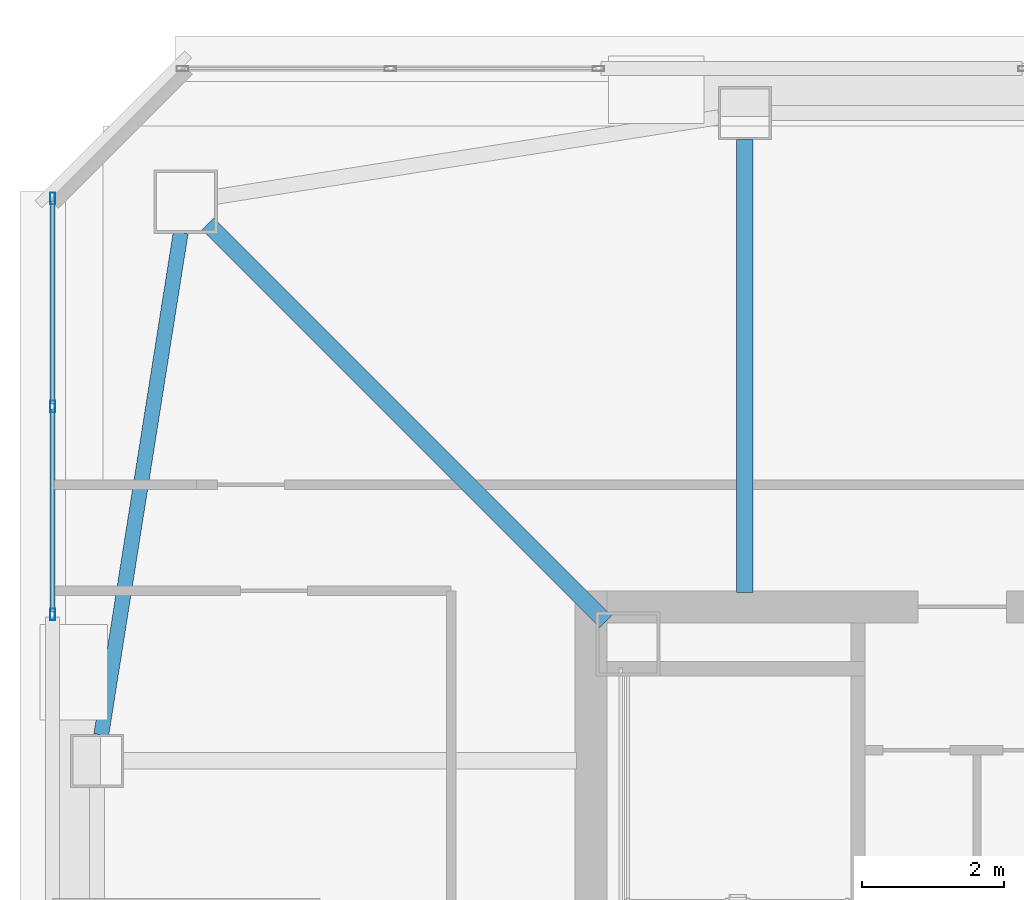
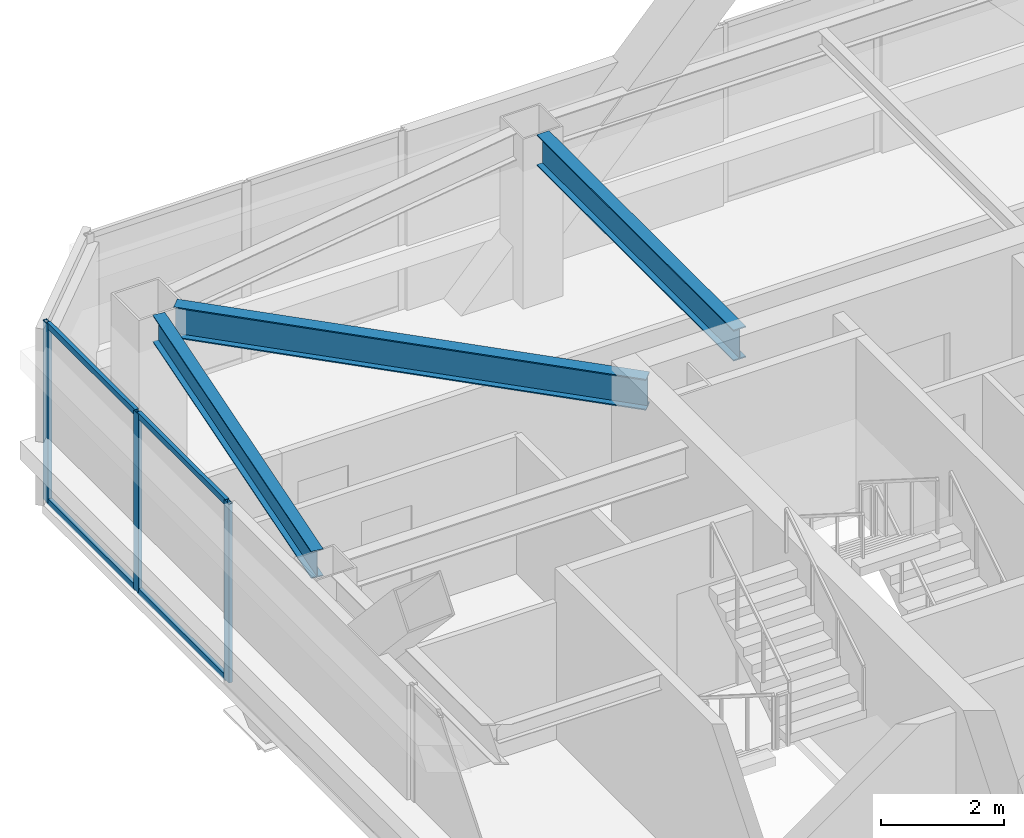
# One storey, part 11 of 24: 7 members, 3 beams, 1 element without a shape of its own.
"""IFC4 building model written with IfcOpenShell, lengths in metres."""

from ifc_helpers import new_model, si_unit, direction, frame, origin, origin_2d, place, context, subcontext, project, spatial, hollow_rectangle, i_section, extrude, material, material_profile, profile_set, type_object, element, aggregate, save


model = new_model("IFC4")

# Units and contexts
model_context = context("Model", 3, precision=1e-05, world=origin(), true_north=direction((0.0, 1.0)))
body_context = subcontext(model_context, "Body", "Model", "MODEL_VIEW")
ifc_project = project(units=[si_unit("LENGTHUNIT", "METRE"), si_unit("AREAUNIT", "SQUARE_METRE"), si_unit("VOLUMEUNIT", "CUBIC_METRE"), si_unit("PLANEANGLEUNIT", "RADIAN"), si_unit("MASSUNIT", "GRAM", prefix="KILO")], contexts=[model_context])

# Site, building, storey
site_placement = place(None, origin())
site = spatial("IfcSite", under=ifc_project, at=site_placement, CompositionType="ELEMENT")
building_placement = place(site_placement, origin())
building = spatial("IfcBuilding", under=site, at=building_placement, Name="Tashvorn Skyway Center", CompositionType="ELEMENT")
storey_placement = place(building_placement, frame((0.0, 0.0, 270.5)))
storey = spatial("IfcBuildingStorey", under=building, at=storey_placement, Name="L73", CompositionType="ELEMENT", Elevation=270.5)

# Beams
ifc_material_1 = material(Name="Steel ASTM A992 Grade 50", Category="steel")
ifc_material_profile_1 = material_profile(ifc_material_1, i_section(OverallWidth=0.22998046875, OverallDepth=0.616943359375, WebThickness=0.01318359375, FlangeThickness=0.022216796875, at=origin_2d()), Name="W24X94")
ifc_profile_set_1 = profile_set([ifc_material_profile_1], Name="Steel ASTM A992 Grade 50")
beam_type_1 = type_object("IfcBeamType", Name="BM-BEAM-W24X94", PredefinedType="BEAM", material=ifc_profile_set_1)
beam_1_placement = place(storey_placement, frame((29.0146484375, 44.9853515625, 3.0615234375), z_axis=(0.707106781187, -0.707106781187, 0.0), x_axis=(0.707106781187, 0.707106781187, 0.0)))
element("IfcBeam", 1, at=beam_1_placement, inside=storey, type_object=beam_type_1, Name="Tower 1 L73 Primary Floor Girder MC-NW", PredefinedType="BEAM", context=body_context, shape_type="SweptSolid", body=[
    extrude(i_section(OverallWidth=0.22998046875, OverallDepth=0.616943359375, WebThickness=0.01318359375, FlangeThickness=0.022216796875, at=origin_2d()), origin(), (0.0, 0.0, 1.0), 7.94873046875),
])
beam_2_placement = place(storey_placement, frame((36.60009765625, 46.179931640625, 3.0615234375), z_axis=(0.0, -1.0, 0.0), x_axis=(1.0, 0.0, 0.0)))
element("IfcBeam", 2, at=beam_2_placement, inside=storey, type_object=beam_type_1, Name="Tower 1 L73 Primary Floor Girder FC-N2", PredefinedType="BEAM", context=body_context, shape_type="SweptSolid", body=[
    extrude(i_section(OverallWidth=0.22998046875, OverallDepth=0.616943359375, WebThickness=0.01318359375, FlangeThickness=0.022216796875, at=origin_2d()), origin(), (0.0, 0.0, 1.0), 6.39990234375),
])
ifc_material_profile_2 = material_profile(ifc_material_1, i_section(OverallWidth=0.2109375, OverallDepth=0.5390625, WebThickness=0.01171875, FlangeThickness=0.018798828125, at=origin_2d()), Name="W21X73")
ifc_profile_set_2 = profile_set([ifc_material_profile_2], Name="Steel ASTM A992 Grade 50")
beam_type_2 = type_object("IfcBeamType", Name="BM-SPANDREL-W21X73", PredefinedType="SPANDREL", material=ifc_profile_set_2)
beam_3_placement = place(storey_placement, frame((28.63037109375, 44.8603515625, 3.1005859375), z_axis=(-0.156274976, -0.987713587978, 0.0), x_axis=(0.987713587978, -0.156274976, 0.0)))
element("IfcBeam", 3, at=beam_3_placement, inside=storey, type_object=beam_type_2, Name="Tower 1 L73 Spandrel Beam 10", PredefinedType="SPANDREL", context=body_context, shape_type="SweptSolid", body=[
    extrude(i_section(OverallWidth=0.2109375, OverallDepth=0.5390625, WebThickness=0.01171875, FlangeThickness=0.018798828125, at=origin_2d()), origin(), (0.0, 0.0, 1.0), 7.18310546875),
])

# Curtain wall, members
ifc_material_2 = material(Name="Thermally broken bronze-anodized aluminium 6063-T6", Category="aluminium")
curtain_wall_type = type_object("IfcCurtainWallType", Name="CW-CW-Z5", PredefinedType="NOTDEFINED", material=ifc_material_2)
curtain_wall_placement = place(storey_placement, origin())
curtain_wall = element("IfcCurtainWall", 4, at=curtain_wall_placement, inside=storey, type_object=curtain_wall_type, Name="Tower 1 L73 West Unitised Curtain Wall Glazing Group 3", PredefinedType="NOTDEFINED")
ifc_material_profile_3 = material_profile(ifc_material_2, hollow_rectangle(XDim=0.070068359375, YDim=0.1650390625, WallThickness=0.00390625, at=origin_2d()), Name="ALU-MULL-70x165")
ifc_profile_set_3 = profile_set([ifc_material_profile_3], Name="Thermally broken bronze-anodized aluminium 6063-T6")
member_type_1 = type_object("IfcMemberType", Name="CWM-CW-Z5", PredefinedType="MULLION", material=ifc_profile_set_3)
member_1_placement = place(storey_placement, frame((26.820068359375, 39.46826171875, 0.0), z_axis=(0.0, 0.0, 1.0), x_axis=(-1.0, 0.0, 0.0)))
member_1 = element("IfcMember", 5, at=member_1_placement, type_object=member_type_1, Name="CW-Z5 mullion 1", PredefinedType="MULLION", context=body_context, shape_type="SweptSolid", body=[
    extrude(hollow_rectangle(XDim=0.070068359375, YDim=0.1650390625, WallThickness=0.00390625, at=origin_2d()), origin(), (0.0, 0.0, 1.0), 3.550048828125),
])
member_2_placement = place(storey_placement, frame((26.820068359375, 42.40673828125, 0.0), z_axis=(0.0, 0.0, 1.0), x_axis=(-1.0, 0.0, 0.0)))
member_2 = element("IfcMember", 6, at=member_2_placement, type_object=member_type_1, Name="CW-Z5 mullion 2", PredefinedType="MULLION", context=body_context, shape_type="SweptSolid", body=[
    extrude(hollow_rectangle(XDim=0.070068359375, YDim=0.1650390625, WallThickness=0.00390625, at=origin_2d()), origin(), (0.0, 0.0, 1.0), 3.550048828125),
])
member_3_placement = place(storey_placement, frame((26.820068359375, 45.344970703125, 0.0), z_axis=(0.0, 0.0, 1.0), x_axis=(-1.0, 0.0, 0.0)))
member_3 = element("IfcMember", 7, at=member_3_placement, type_object=member_type_1, Name="CW-Z5 mullion 3", PredefinedType="MULLION", context=body_context, shape_type="SweptSolid", body=[
    extrude(hollow_rectangle(XDim=0.070068359375, YDim=0.1650390625, WallThickness=0.00390625, at=origin_2d()), origin(), (0.0, 0.0, 1.0), 3.550048828125),
])
ifc_material_profile_4 = material_profile(ifc_material_2, hollow_rectangle(XDim=0.070068359375, YDim=0.114990234375, WallThickness=0.00390625, at=origin_2d()), Name="ALU-TRAN-70x115")
ifc_profile_set_4 = profile_set([ifc_material_profile_4], Name="Thermally broken bronze-anodized aluminium 6063-T6")
member_type_2 = type_object("IfcMemberType", Name="CWT-CW-Z5", PredefinedType="USERDEFINED", material=ifc_profile_set_4)
member_4_placement = place(storey_placement, frame((26.820068359375, 39.50341796875, 0.034912109375), z_axis=(0.0, 1.0, 0.0), x_axis=(-1.0, 0.0, 0.0)))
member_4 = element("IfcMember", 8, at=member_4_placement, type_object=member_type_2, Name="CW-Z5 transom 1.1", ObjectType="TRANSOM", PredefinedType="USERDEFINED", context=body_context, shape_type="SweptSolid", body=[
    extrude(hollow_rectangle(XDim=0.070068359375, YDim=0.114990234375, WallThickness=0.00390625, at=origin_2d()), origin(), (0.0, 0.0, 1.0), 2.8681640625),
])
member_5_placement = place(storey_placement, frame((26.820068359375, 39.50341796875, 3.514892578125), z_axis=(0.0, 1.0, 0.0), x_axis=(-1.0, 0.0, 0.0)))
member_5 = element("IfcMember", 9, at=member_5_placement, type_object=member_type_2, Name="CW-Z5 transom 1.2", ObjectType="TRANSOM", PredefinedType="USERDEFINED", context=body_context, shape_type="SweptSolid", body=[
    extrude(hollow_rectangle(XDim=0.070068359375, YDim=0.114990234375, WallThickness=0.00390625, at=origin_2d()), origin(), (0.0, 0.0, 1.0), 2.8681640625),
])
member_6_placement = place(storey_placement, frame((26.820068359375, 42.441650390625, 0.034912109375), z_axis=(0.0, 1.0, 0.0), x_axis=(-1.0, 0.0, 0.0)))
member_6 = element("IfcMember", 10, at=member_6_placement, type_object=member_type_2, Name="CW-Z5 transom 2.1", ObjectType="TRANSOM", PredefinedType="USERDEFINED", context=body_context, shape_type="SweptSolid", body=[
    extrude(hollow_rectangle(XDim=0.070068359375, YDim=0.114990234375, WallThickness=0.00390625, at=origin_2d()), origin(), (0.0, 0.0, 1.0), 2.868408203125),
])
member_7_placement = place(storey_placement, frame((26.820068359375, 42.441650390625, 3.514892578125), z_axis=(0.0, 1.0, 0.0), x_axis=(-1.0, 0.0, 0.0)))
member_7 = element("IfcMember", 11, at=member_7_placement, type_object=member_type_2, Name="CW-Z5 transom 2.2", ObjectType="TRANSOM", PredefinedType="USERDEFINED", context=body_context, shape_type="SweptSolid", body=[
    extrude(hollow_rectangle(XDim=0.070068359375, YDim=0.114990234375, WallThickness=0.00390625, at=origin_2d()), origin(), (0.0, 0.0, 1.0), 2.868408203125),
])
aggregate(curtain_wall, [member_1, member_2, member_3, member_4, member_5, member_6, member_7])

save(model, "model.ifc")
